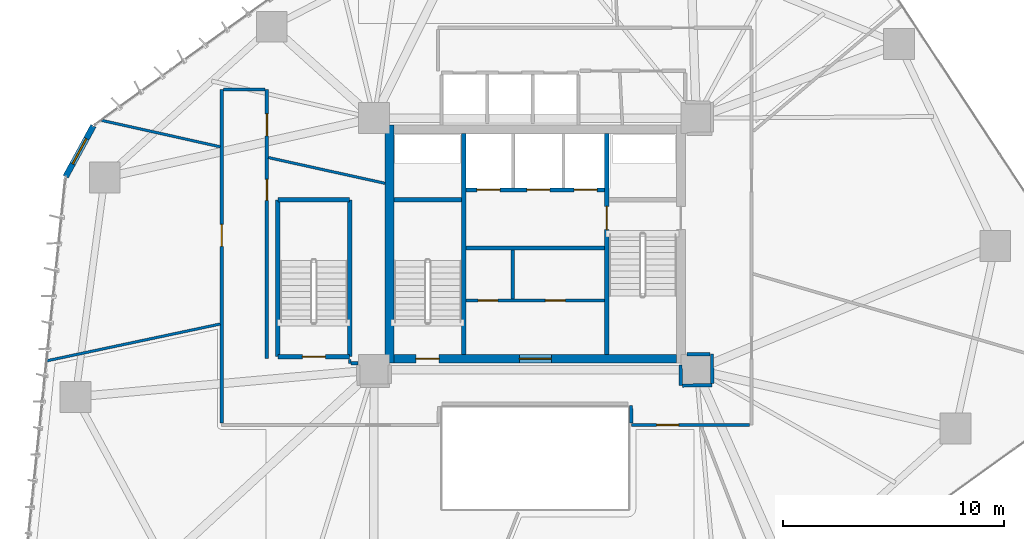
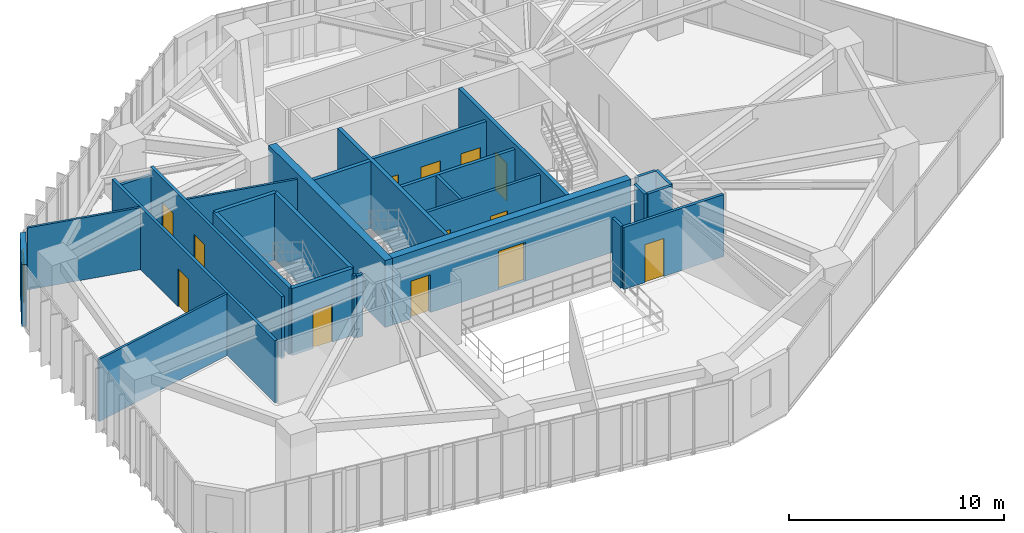
# One storey, part 18 of 22: 28 walls, 13 doors, 1 window, 14 openings.
"""IFC4 building model written with IfcOpenShell, lengths in metres."""

from ifc_helpers import new_model, si_unit, direction, frame, frame_2d, origin, place, context, subcontext, project, spatial, rectangle, extrude, source, transform, mapped, material, layer, layer_set, type_object, type_shapes, element, fill, save


model = new_model("IFC4")

# Units and contexts
model_context = context("Model", 3, precision=1e-05, world=origin(), true_north=direction((0.0, 1.0)))
body_context = subcontext(model_context, "Body", "Model", "MODEL_VIEW")
ifc_project = project(units=[si_unit("LENGTHUNIT", "METRE"), si_unit("AREAUNIT", "SQUARE_METRE"), si_unit("VOLUMEUNIT", "CUBIC_METRE"), si_unit("PLANEANGLEUNIT", "RADIAN"), si_unit("MASSUNIT", "GRAM", prefix="KILO")], contexts=[model_context])

# Site, building, storey
site_placement = place(None, origin())
site = spatial("IfcSite", under=ifc_project, at=site_placement, CompositionType="ELEMENT")
building_placement = place(site_placement, origin())
building = spatial("IfcBuilding", under=site, at=building_placement, Name="Talar Marvaseh", CompositionType="ELEMENT")
storey_placement = place(building_placement, frame((0.0, 0.0, 65.800048828125)))
storey = spatial("IfcBuildingStorey", under=building, at=storey_placement, Name="L16", CompositionType="ELEMENT", Elevation=65.800048828125)

# Wall, opening, window
ifc_material_1 = material(Name="Precast concrete C45/55", Category="concrete")
ifc_layer_1 = layer(ifc_material_1, 0.27001953125)
ifc_layer_set_1 = layer_set([ifc_layer_1], Name="Precast concrete C45/55")
wall_type_1 = type_object("IfcWallType", Name="Chamfered Hexagonal Corner Pier Wall Z1 270", PredefinedType="SOLIDWALL", material=ifc_layer_set_1)
wall_1_placement = place(storey_placement, frame((4.731689453125, 34.250732421875, 0.0), z_axis=(0.0, 0.0, 1.0), x_axis=(0.479015137629, 0.877806640395, 0.0)))
wall_1 = element("IfcWall", 1, at=wall_1_placement, inside=storey, type_object=wall_type_1, Name="L16 Chamfered Corner Limestone Pier 2", PredefinedType="SOLIDWALL", context=body_context, shape_type="SweptSolid", body=[
    extrude(rectangle(XDim=2.623291015625, YDim=0.27001953125, at=frame_2d((1.3115234375, 0.0))), origin(), (0.0, 0.0, 1.0), 3.52001953125),
])
opening_1_placement = place(wall_1_placement, frame((0.662109375, 0.0, 0.89990234375)))
opening_1 = element("IfcOpeningElement", 2, at=opening_1_placement, cuts=wall_1, Name="Opening WN-CHM13", PredefinedType="OPENING", context=body_context, shape_type="SweptSolid", body=[
    extrude(rectangle(XDim=1.300048828125, YDim=2.14990234375, at=frame_2d((0.64990234375, 1.074951171875))), frame((0.0, 0.14501953125, 0.0), z_axis=(0.0, -1.0, 0.0), x_axis=(1.0, 0.0, 0.0)), (0.0, 0.0, 1.0), 0.2900390625),
])
ifc_material_2 = material(Name="Laminated Low-E Solar Glass", Category="glass")
window_type = type_object("IfcWindowType", Name="Zone 1 Chamfered Corner Slot Window 1300x2150", PartitioningType="SINGLE_PANEL", PredefinedType="WINDOW", material=ifc_material_2)
shared_shape_1 = source(origin(), body_context, "Body", "SweptSolid", [
    extrude(rectangle(XDim=1.300048828125, YDim=2.14990234375, at=frame_2d((0.64990234375, 1.074951171875))), frame((0.0, 0.030029296875, 0.0), z_axis=(0.0, -1.0, 0.0), x_axis=(1.0, 0.0, 0.0)), (0.0, 0.0, 1.0), 0.06005859375),
])
type_shapes(window_type, [shared_shape_1])
window_placement = place(opening_1_placement, origin())
window = element("IfcWindow", 3, at=window_placement, inside=storey, type_object=window_type, Name="L16 Chamfered Corner Slot Window", OverallHeight=2.14990234375, OverallWidth=1.300048828125, PartitioningType="SINGLE_PANEL", PredefinedType="WINDOW", context=body_context, shape_type="MappedRepresentation", body=[
    mapped(shared_shape_1, transform((0.0, 0.0, 0.0), x_axis=(1.0, 0.0, 0.0), y_axis=(0.0, 1.0, 0.0), z_axis=(0.0, 0.0, 1.0), scale=1.0)),
])
fill(opening_1, window)

# Wall, openings, doors
ifc_material_3 = material(Name="Gypsum Board Partition Assembly")
ifc_layer_2 = layer(ifc_material_3, 0.155029296875)
ifc_layer_set_2 = layer_set([ifc_layer_2], Name="Gypsum Board Partition Assembly")
wall_type_2 = type_object("IfcWallType", Name="Corridor Fire-Rated Acoustic Partition 155", PredefinedType="PARTITIONING", material=ifc_layer_set_2)
wall_2_placement = place(storey_placement, frame((22.865966796875, 28.639892578125, 0.0), z_axis=(0.0, 0.0, 1.0), x_axis=(1.0, 0.0, 0.0)))
wall_2 = element("IfcWall", 4, at=wall_2_placement, inside=storey, type_object=wall_type_2, Name="L16 Core BOH Partition", PredefinedType="PARTITIONING", context=body_context, shape_type="SweptSolid", body=[
    extrude(rectangle(XDim=6.26806640625, YDim=0.155029296875, at=frame_2d((3.134033203125, 0.0))), origin(), (0.0, 0.0, 1.0), 3.52001953125),
])
opening_2_placement = place(wall_2_placement, frame((0.550048828125, 0.0, 0.0)))
opening_2 = element("IfcOpeningElement", 5, at=opening_2_placement, cuts=wall_2, Name="Opening DR-BOH090", PredefinedType="OPENING", context=body_context, shape_type="SweptSolid", body=[
    extrude(rectangle(XDim=0.89990234375, YDim=2.10009765625, at=frame_2d((0.449951171875, 1.050048828125))), frame((0.0, 0.08740234375, 0.0), z_axis=(0.0, -1.0, 0.0), x_axis=(1.0, 0.0, 0.0)), (0.0, 0.0, 1.0), 0.175048828125),
])
opening_3_placement = place(wall_2_placement, frame((3.60009765625, 0.0, 0.0)))
opening_3 = element("IfcOpeningElement", 6, at=opening_3_placement, cuts=wall_2, Name="Opening DR-BOH090", PredefinedType="OPENING", context=body_context, shape_type="SweptSolid", body=[
    extrude(rectangle(XDim=0.89990234375, YDim=2.10009765625, at=frame_2d((0.449951171875, 1.050048828125))), frame((0.0, 0.08740234375, 0.0), z_axis=(0.0, -1.0, 0.0), x_axis=(1.0, 0.0, 0.0)), (0.0, 0.0, 1.0), 0.175048828125),
])
ifc_material_4 = material(Name="Fire-Rated Steel Door Leaf", Category="steel")
door_type_1 = type_object("IfcDoorType", Name="Core Back-of-House Service Door 900x2100", OperationType="NOTDEFINED", PredefinedType="DOOR", material=ifc_material_4)
shared_shape_2 = source(origin(), body_context, "Body", "SweptSolid", [
    extrude(rectangle(XDim=0.89990234375, YDim=2.10009765625, at=frame_2d((0.449951171875, 1.050048828125))), frame((0.0, 0.02490234375, 0.0), z_axis=(0.0, -1.0, 0.0), x_axis=(1.0, 0.0, 0.0)), (0.0, 0.0, 1.0), 0.050048828125),
])
type_shapes(door_type_1, [shared_shape_2])
door_1_placement = place(opening_2_placement, origin())
door_1 = element("IfcDoor", 7, at=door_1_placement, inside=storey, type_object=door_type_1, Name="L16 Cleaner Janitor Store Door", OperationType="SINGLE_SWING_LEFT", OverallHeight=2.10009765625, OverallWidth=0.89990234375, PredefinedType="DOOR", context=body_context, shape_type="MappedRepresentation", body=[
    mapped(shared_shape_2, transform((0.0, 0.0, 0.0), x_axis=(1.0, 0.0, 0.0), y_axis=(0.0, 1.0, 0.0), z_axis=(0.0, 0.0, 1.0), scale=1.0)),
])
fill(opening_2, door_1)
door_2_placement = place(opening_3_placement, origin())
door_2 = element("IfcDoor", 8, at=door_2_placement, inside=storey, type_object=door_type_1, Name="L16 Plant Core Electrical Meter Room Door", OperationType="SINGLE_SWING_RIGHT", OverallHeight=2.10009765625, OverallWidth=0.89990234375, PredefinedType="DOOR", context=body_context, shape_type="MappedRepresentation", body=[
    mapped(shared_shape_2, transform((0.0, 0.0, 0.0), x_axis=(1.0, 0.0, 0.0), y_axis=(0.0, 1.0, 0.0), z_axis=(0.0, 0.0, 1.0), scale=1.0)),
])
fill(opening_3, door_2)

# Wall
wall_3_placement = place(storey_placement, frame((24.97998046875, 28.719970703125, 0.0), z_axis=(0.0, 0.0, 1.0), x_axis=(0.0, 1.0, 0.0)))
element("IfcWall", 9, at=wall_3_placement, inside=storey, type_object=wall_type_2, Name="L16 Core BOH Partition", PredefinedType="PARTITIONING", context=body_context, shape_type="SweptSolid", body=[
    extrude(rectangle(XDim=2.219970703125, YDim=0.155029296875, at=frame_2d((1.10986328125, 0.0))), origin(), (0.0, 0.0, 1.0), 3.52001953125),
])

# Wall, opening, door
wall_4_placement = place(storey_placement, frame((11.800048828125, 23.08349609375, 0.0), z_axis=(0.0, 0.0, 1.0), x_axis=(0.0, 1.0, 0.0)))
wall_4 = element("IfcWall", 10, at=wall_4_placement, inside=storey, type_object=wall_type_2, Name="L16 Interior Partition Wall", PredefinedType="PARTITIONING", context=body_context, shape_type="SweptSolid", body=[
    extrude(rectangle(XDim=15.116455078125, YDim=0.155029296875, at=frame_2d((7.55810546875, 0.0))), origin(), (0.0, 0.0, 1.0), 3.52001953125),
])
opening_4_placement = place(wall_4_placement, frame((8.006103515625, 0.0, 0.0)))
opening_4 = element("IfcOpeningElement", 11, at=opening_4_placement, cuts=wall_4, Name="Opening DR-RM100", PredefinedType="OPENING", context=body_context, shape_type="SweptSolid", body=[
    extrude(rectangle(XDim=1.0, YDim=2.14990234375, at=frame_2d((0.5, 1.074951171875))), frame((0.0, 0.08740234375, 0.0), z_axis=(0.0, -1.0, 0.0), x_axis=(1.0, 0.0, 0.0)), (0.0, 0.0, 1.0), 0.175048828125),
])
ifc_material_5 = material(Name="Acoustic Engineered Oak Timber", Category="wood")
door_type_2 = type_object("IfcDoorType", Name="Corridor Fire-Rated Gallery Door 1000x2150", OperationType="NOTDEFINED", PredefinedType="DOOR", material=ifc_material_5)
shared_shape_3 = source(origin(), body_context, "Body", "SweptSolid", [
    extrude(rectangle(XDim=1.0, YDim=2.14990234375, at=frame_2d((0.5, 1.074951171875))), frame((0.0, 0.02490234375, 0.0), z_axis=(0.0, -1.0, 0.0), x_axis=(1.0, 0.0, 0.0)), (0.0, 0.0, 1.0), 0.050048828125),
])
type_shapes(door_type_2, [shared_shape_3])
door_3_placement = place(opening_4_placement, origin())
door_3 = element("IfcDoor", 12, at=door_3_placement, inside=storey, type_object=door_type_2, Name="L16 Quiet Research Study Door", OperationType="SINGLE_SWING_RIGHT", OverallHeight=2.14990234375, OverallWidth=1.0, PredefinedType="DOOR", context=body_context, shape_type="MappedRepresentation", body=[
    mapped(shared_shape_3, transform((0.0, 0.0, 0.0), x_axis=(1.0, 0.0, 0.0), y_axis=(0.0, 1.0, 0.0), z_axis=(0.0, 0.0, 1.0), scale=1.0)),
])
fill(opening_4, door_3)

# Wall, openings, doors
wall_5_placement = place(storey_placement, frame((13.85009765625, 38.199951171875, 0.0), z_axis=(0.0, 0.0, 1.0), x_axis=(0.0, -1.0, 0.0)))
wall_5 = element("IfcWall", 13, at=wall_5_placement, inside=storey, type_object=wall_type_2, Name="L16 Interior Partition Wall", PredefinedType="PARTITIONING", context=body_context, shape_type="SweptSolid", body=[
    extrude(rectangle(XDim=12.179931640625, YDim=0.155029296875, at=frame_2d((6.08984375, 0.0))), origin(), (0.0, 0.0, 1.0), 3.52001953125),
])
opening_5_placement = place(wall_5_placement, frame((1.1044921875, 0.0, 0.0)))
opening_5 = element("IfcOpeningElement", 14, at=opening_5_placement, cuts=wall_5, Name="Opening DR-RM100", PredefinedType="OPENING", context=body_context, shape_type="SweptSolid", body=[
    extrude(rectangle(XDim=1.0, YDim=2.14990234375, at=frame_2d((0.5, 1.074951171875))), frame((0.0, 0.08740234375, 0.0), z_axis=(0.0, -1.0, 0.0), x_axis=(1.0, 0.0, 0.0)), (0.0, 0.0, 1.0), 0.175048828125),
])
opening_6_placement = place(wall_5_placement, frame((4.076416015625, 0.0, 0.0)))
opening_6 = element("IfcOpeningElement", 15, at=opening_6_placement, cuts=wall_5, Name="Opening DR-WC095", PredefinedType="OPENING", context=body_context, shape_type="SweptSolid", body=[
    extrude(rectangle(XDim=0.949951171875, YDim=2.14990234375, at=frame_2d((0.47509765625, 1.074951171875))), frame((0.0, 0.08740234375, 0.0), z_axis=(0.0, -1.0, 0.0), x_axis=(1.0, 0.0, 0.0)), (0.0, 0.0, 1.0), 0.175048828125),
])
door_type_3 = type_object("IfcDoorType", Name="Washroom and Service Room Door 950x2150", OperationType="NOTDEFINED", PredefinedType="DOOR", material=ifc_material_5)
shared_shape_4 = source(origin(), body_context, "Body", "SweptSolid", [
    extrude(rectangle(XDim=0.949951171875, YDim=2.14990234375, at=frame_2d((0.47509765625, 1.074951171875))), frame((0.0, 0.02490234375, 0.0), z_axis=(0.0, -1.0, 0.0), x_axis=(1.0, 0.0, 0.0)), (0.0, 0.0, 1.0), 0.050048828125),
])
type_shapes(door_type_3, [shared_shape_4])
door_4_placement = place(opening_6_placement, origin())
door_4 = element("IfcDoor", 16, at=door_4_placement, inside=storey, type_object=door_type_3, Name="L16 Accessible WC Door", OperationType="SINGLE_SWING_LEFT", OverallHeight=2.14990234375, OverallWidth=0.949951171875, PredefinedType="DOOR", context=body_context, shape_type="MappedRepresentation", body=[
    mapped(shared_shape_4, transform((0.0, 0.0, 0.0), x_axis=(1.0, 0.0, 0.0), y_axis=(0.0, 1.0, 0.0), z_axis=(0.0, 0.0, 1.0), scale=1.0)),
])
fill(opening_6, door_4)
door_5_placement = place(opening_5_placement, origin())
door_5 = element("IfcDoor", 17, at=door_5_placement, inside=storey, type_object=door_type_2, Name="L16 Digital Paleography Studio Door", OperationType="SINGLE_SWING_RIGHT", OverallHeight=2.14990234375, OverallWidth=1.0, PredefinedType="DOOR", context=body_context, shape_type="MappedRepresentation", body=[
    mapped(shared_shape_3, transform((0.0, 0.0, 0.0), x_axis=(1.0, 0.0, 0.0), y_axis=(0.0, 1.0, 0.0), z_axis=(0.0, 0.0, 1.0), scale=1.0)),
])
fill(opening_5, door_5)

# Wall, opening, door
wall_6_placement = place(storey_placement, frame((35.716552734375, 23.0, 0.0), z_axis=(0.0, 0.0, 1.0), x_axis=(-1.0, 0.0, 0.0)))
wall_6 = element("IfcWall", 18, at=wall_6_placement, inside=storey, type_object=wall_type_2, Name="L16 Interior Partition Wall", PredefinedType="PARTITIONING", context=body_context, shape_type="SweptSolid", body=[
    extrude(rectangle(XDim=5.3564453125, YDim=0.155029296875, at=frame_2d((2.67822265625, 0.0))), origin(), (0.0, 0.0, 1.0), 3.52001953125),
])
opening_7_placement = place(wall_6_placement, frame((3.21630859375, 0.0, 0.0)))
opening_7 = element("IfcOpeningElement", 19, at=opening_7_placement, cuts=wall_6, Name="Opening DR-RM100", PredefinedType="OPENING", context=body_context, shape_type="SweptSolid", body=[
    extrude(rectangle(XDim=1.0, YDim=2.14990234375, at=frame_2d((0.5, 1.074951171875))), frame((0.0, 0.08740234375, 0.0), z_axis=(0.0, -1.0, 0.0), x_axis=(1.0, 0.0, 0.0)), (0.0, 0.0, 1.0), 0.175048828125),
])
door_6_placement = place(opening_7_placement, origin())
door_6 = element("IfcDoor", 20, at=door_6_placement, inside=storey, type_object=door_type_2, Name="L16 Museum Publication Bookshop Door", OperationType="SINGLE_SWING_RIGHT", OverallHeight=2.14990234375, OverallWidth=1.0, PredefinedType="DOOR", context=body_context, shape_type="MappedRepresentation", body=[
    mapped(shared_shape_3, transform((0.0, 0.0, 0.0), x_axis=(1.0, 0.0, 0.0), y_axis=(0.0, 1.0, 0.0), z_axis=(0.0, 0.0, 1.0), scale=1.0)),
])
fill(opening_7, door_6)

# Walls
wall_7_placement = place(storey_placement, frame((11.883544921875, 38.199951171875, 0.0), z_axis=(0.0, 0.0, 1.0), x_axis=(1.0, 0.0, 0.0)))
element("IfcWall", 21, at=wall_7_placement, inside=storey, type_object=wall_type_2, Name="L16 Interior Partition Wall", PredefinedType="PARTITIONING", context=body_context, shape_type="SweptSolid", body=[
    extrude(rectangle(XDim=1.883056640625, YDim=0.155029296875, at=frame_2d((0.94140625, 0.0))), origin(), (0.0, 0.0, 1.0), 3.08203125),
])
wall_8_placement = place(storey_placement, frame((17.666015625, 25.800048828125, 0.0), z_axis=(0.0, 0.0, 1.0), x_axis=(1.0, 0.0, 0.0)))
element("IfcWall", 22, at=wall_8_placement, inside=storey, type_object=wall_type_2, Name="L16 Interior Partition Wall", PredefinedType="PARTITIONING", context=body_context, shape_type="SweptSolid", body=[
    extrude(rectangle(XDim=0.319091796875, YDim=0.155029296875, at=frame_2d((0.15966796875, 0.0))), origin(), (0.0, 0.0, 1.0), 3.52001953125),
])
wall_9_placement = place(storey_placement, frame((32.5849609375, 25.72998046875, 0.0), z_axis=(0.0, 0.0, 1.0), x_axis=(0.007253695172, -0.999973691607, 0.0)))
element("IfcWall", 23, at=wall_9_placement, inside=storey, type_object=wall_type_2, Name="L16 Interior Partition Wall", PredefinedType="PARTITIONING", context=body_context, shape_type="SweptSolid", body=[
    extrude(rectangle(XDim=0.9423828125, YDim=0.155029296875, at=frame_2d((0.47119140625, 0.0))), origin(), (0.0, 0.0, 1.0), 3.52001953125),
])
wall_10_placement = place(storey_placement, frame((32.67529296875, 24.788330078125, 0.0), z_axis=(0.0, 0.0, 1.0), x_axis=(0.999961738884, 0.008747614993, 0.0)))
element("IfcWall", 24, at=wall_10_placement, inside=storey, type_object=wall_type_2, Name="L16 Interior Partition Wall", PredefinedType="PARTITIONING", context=body_context, shape_type="SweptSolid", body=[
    extrude(rectangle(XDim=1.339599609375, YDim=0.155029296875, at=frame_2d((0.669921875, 0.0))), origin(), (0.0, 0.0, 1.0), 3.52001953125),
])
wall_11_placement = place(storey_placement, frame((34.014892578125, 24.883544921875, 0.0), z_axis=(0.0, 0.0, 1.0), x_axis=(-0.002393659134, 0.999997135194, 0.0)))
element("IfcWall", 25, at=wall_11_placement, inside=storey, type_object=wall_type_2, Name="L16 Interior Partition Wall", PredefinedType="PARTITIONING", context=body_context, shape_type="SweptSolid", body=[
    extrude(rectangle(XDim=1.325927734375, YDim=0.155029296875, at=frame_2d((0.6630859375, 0.0))), origin(), (0.0, 0.0, 1.0), 3.52001953125),
])
wall_12_placement = place(storey_placement, frame((33.927978515625, 26.2099609375, 0.0), z_axis=(0.0, 0.0, 1.0), x_axis=(-0.999988255797, 0.004846469737, 0.0)))
element("IfcWall", 26, at=wall_12_placement, inside=storey, type_object=wall_type_2, Name="L16 Interior Partition Wall", PredefinedType="PARTITIONING", context=body_context, shape_type="SweptSolid", body=[
    extrude(rectangle(XDim=1.057861328125, YDim=0.155029296875, at=frame_2d((0.52880859375, 0.0))), origin(), (0.0, 0.0, 1.0), 3.52001953125),
])
wall_13_placement = place(storey_placement, frame((30.358154296875, 23.08349609375, 0.0), z_axis=(0.0, 0.0, 1.0), x_axis=(-0.021573276475, 0.999767269789, 0.0)))
element("IfcWall", 27, at=wall_13_placement, inside=storey, type_object=wall_type_2, Name="L16 Interior Partition Wall", PredefinedType="PARTITIONING", context=body_context, shape_type="SweptSolid", body=[
    extrude(rectangle(XDim=0.792236328125, YDim=0.155029296875, at=frame_2d((0.39599609375, 0.0))), origin(), (0.0, 0.0, 1.0), 3.52001953125),
])
ifc_layer_3 = layer(ifc_material_3, 0.1201171875)
ifc_layer_set_3 = layer_set([ifc_layer_3], Name="Gypsum Board Partition Assembly")
wall_type_3 = type_object("IfcWallType", Name="Demountable Studio Room Partition 120", PredefinedType="PARTITIONING", material=ifc_layer_set_3)
wall_14_placement = place(storey_placement, frame((17.60009765625, 25.96240234375, 0.0), z_axis=(0.0, 0.0, 1.0), x_axis=(0.0, -1.0, 0.0)))
element("IfcWall", 28, at=wall_14_placement, inside=storey, type_object=wall_type_3, Name="L16 Interior Partition Wall", PredefinedType="PARTITIONING", context=body_context, shape_type="SweptSolid", body=[
    extrude(rectangle(XDim=0.1748046875, YDim=0.1201171875, at=frame_2d((0.08740234375, 0.0))), origin(), (0.0, 0.0, 1.0), 3.52001953125),
])
wall_15_placement = place(storey_placement, frame((3.888427734375, 25.91162109375, 0.0), z_axis=(0.0, 0.0, 1.0), x_axis=(0.978231878757, 0.207514797986, 0.0)))
element("IfcWall", 29, at=wall_15_placement, inside=storey, type_object=wall_type_3, Name="L16 Interior Partition Wall", PredefinedType="PARTITIONING", context=body_context, shape_type="SweptSolid", body=[
    extrude(rectangle(XDim=8.0224609375, YDim=0.1201171875, at=frame_2d((4.01123046875, 0.0))), origin(), (0.0, 0.0, 1.0), 3.52001953125),
])
wall_16_placement = place(storey_placement, frame((19.199951171875, 33.949951171875, 0.0), z_axis=(0.0, 0.0, 1.0), x_axis=(-0.976527540086, 0.215392579848, 0.0)))
element("IfcWall", 30, at=wall_16_placement, inside=storey, type_object=wall_type_3, Name="L16 Interior Partition Wall", PredefinedType="PARTITIONING", context=body_context, shape_type="SweptSolid", body=[
    extrude(rectangle(XDim=5.413330078125, YDim=0.1201171875, at=frame_2d((2.70654296875, 0.0))), origin(), (0.0, 0.0, 1.0), 3.52001953125),
])
wall_17_placement = place(storey_placement, frame((11.736572265625, 35.60400390625, 0.0), z_axis=(0.0, 0.0, 1.0), x_axis=(-0.976097371965, 0.217333661553, 0.0)))
element("IfcWall", 31, at=wall_17_placement, inside=storey, type_object=wall_type_3, Name="L16 Interior Partition Wall", PredefinedType="PARTITIONING", context=body_context, shape_type="SweptSolid", body=[
    extrude(rectangle(XDim=5.513427734375, YDim=0.1201171875, at=frame_2d((2.7568359375, 0.0))), origin(), (0.0, 0.0, 1.0), 3.52001953125),
])

# Wall, openings, doors
ifc_layer_4 = layer(ifc_material_1, 0.175048828125)
ifc_layer_set_4 = layer_set([ifc_layer_4], Name="Precast concrete C45/55")
wall_type_4 = type_object("IfcWallType", Name="Fire-Rated Lift Hoistway Enclosure Wall 175", PredefinedType="SOLIDWALL", material=ifc_layer_set_4)
wall_18_placement = place(storey_placement, frame((22.860107421875, 33.64990234375, 0.0), z_axis=(0.0, 0.0, 1.0), x_axis=(1.0, 0.0, 0.0)))
wall_18 = element("IfcWall", 32, at=wall_18_placement, inside=storey, type_object=wall_type_4, Name="L16 Firefighting and Service Lift Front Wall", PredefinedType="SOLIDWALL", context=body_context, shape_type="SweptSolid", body=[
    extrude(rectangle(XDim=6.27978515625, YDim=0.175048828125, at=frame_2d((3.139892578125, 0.0))), origin(), (0.0, 0.0, 1.0), 3.52001953125),
])
opening_8_placement = place(wall_18_placement, frame((0.5, 0.0, 0.0)))
opening_8 = element("IfcOpeningElement", 33, at=opening_8_placement, cuts=wall_18, Name="Opening LD-FF1", PredefinedType="OPENING", context=body_context, shape_type="SweptSolid", body=[
    extrude(rectangle(XDim=1.050048828125, YDim=2.14990234375, at=frame_2d((0.52490234375, 1.074951171875))), frame((0.0, 0.09765625, 0.0), z_axis=(0.0, -1.0, 0.0), x_axis=(1.0, 0.0, 0.0)), (0.0, 0.0, 1.0), 0.195068359375),
])
opening_9_placement = place(wall_18_placement, frame((2.760009765625, 0.0, 0.0)))
opening_9 = element("IfcOpeningElement", 34, at=opening_9_placement, cuts=wall_18, Name="Opening LD-FF2", PredefinedType="OPENING", context=body_context, shape_type="SweptSolid", body=[
    extrude(rectangle(XDim=1.050048828125, YDim=2.14990234375, at=frame_2d((0.52490234375, 1.074951171875))), frame((0.0, 0.09765625, 0.0), z_axis=(0.0, -1.0, 0.0), x_axis=(1.0, 0.0, 0.0)), (0.0, 0.0, 1.0), 0.195068359375),
])
opening_10_placement = place(wall_18_placement, frame((4.89990234375, 0.0, 0.0)))
opening_10 = element("IfcOpeningElement", 35, at=opening_10_placement, cuts=wall_18, Name="Opening LD-SV1", PredefinedType="OPENING", context=body_context, shape_type="SweptSolid", body=[
    extrude(rectangle(XDim=1.050048828125, YDim=2.14990234375, at=frame_2d((0.52490234375, 1.074951171875))), frame((0.0, 0.09765625, 0.0), z_axis=(0.0, -1.0, 0.0), x_axis=(1.0, 0.0, 0.0)), (0.0, 0.0, 1.0), 0.195068359375),
])
ifc_material_6 = material(Name="Stainless Steel Grade 316", Category="steel")
door_type_4 = type_object("IfcDoorType", Name="Automatic Sliding Lift Landing Door 1050x2150", OperationType="NOTDEFINED", PredefinedType="DOOR", material=ifc_material_6)
shared_shape_5 = source(origin(), body_context, "Body", "SweptSolid", [
    extrude(rectangle(XDim=1.050048828125, YDim=2.14990234375, at=frame_2d((0.52490234375, 1.074951171875))), frame((0.0, 0.02490234375, 0.0), z_axis=(0.0, -1.0, 0.0), x_axis=(1.0, 0.0, 0.0)), (0.0, 0.0, 1.0), 0.050048828125),
])
type_shapes(door_type_4, [shared_shape_5])
door_7_placement = place(opening_8_placement, origin())
door_7 = element("IfcDoor", 36, at=door_7_placement, inside=storey, type_object=door_type_4, Name="L16 Lift FFL-1 Sliding Landing Door", OperationType="SLIDING_TO_LEFT", OverallHeight=2.14990234375, OverallWidth=1.050048828125, PredefinedType="DOOR", context=body_context, shape_type="MappedRepresentation", body=[
    mapped(shared_shape_5, transform((0.0, 0.0, 0.0), x_axis=(1.0, 0.0, 0.0), y_axis=(0.0, 1.0, 0.0), z_axis=(0.0, 0.0, 1.0), scale=1.0)),
])
fill(opening_8, door_7)
door_8_placement = place(opening_9_placement, origin())
door_8 = element("IfcDoor", 37, at=door_8_placement, inside=storey, type_object=door_type_4, Name="L16 Lift FFL-2 Sliding Landing Door", OperationType="SLIDING_TO_LEFT", OverallHeight=2.14990234375, OverallWidth=1.050048828125, PredefinedType="DOOR", context=body_context, shape_type="MappedRepresentation", body=[
    mapped(shared_shape_5, transform((0.0, 0.0, 0.0), x_axis=(1.0, 0.0, 0.0), y_axis=(0.0, 1.0, 0.0), z_axis=(0.0, 0.0, 1.0), scale=1.0)),
])
fill(opening_9, door_8)
door_9_placement = place(opening_10_placement, origin())
door_9 = element("IfcDoor", 38, at=door_9_placement, inside=storey, type_object=door_type_4, Name="L16 Lift SVL-1 Sliding Landing Door", OperationType="SLIDING_TO_LEFT", OverallHeight=2.14990234375, OverallWidth=1.050048828125, PredefinedType="DOOR", context=body_context, shape_type="MappedRepresentation", body=[
    mapped(shared_shape_5, transform((0.0, 0.0, 0.0), x_axis=(1.0, 0.0, 0.0), y_axis=(0.0, 1.0, 0.0), z_axis=(0.0, 0.0, 1.0), scale=1.0)),
])
fill(opening_10, door_9)

# Walls
wall_19_placement = place(storey_placement, frame((22.860107421875, 31.02001953125, 0.0), z_axis=(0.0, 0.0, 1.0), x_axis=(1.0, 0.0, 0.0)))
element("IfcWall", 39, at=wall_19_placement, inside=storey, type_object=wall_type_4, Name="L16 Firefighting Lobby South Smoke Wall", PredefinedType="SOLIDWALL", context=body_context, shape_type="SweptSolid", body=[
    extrude(rectangle(XDim=6.27978515625, YDim=0.175048828125, at=frame_2d((3.139892578125, 0.0))), origin(), (0.0, 0.0, 1.0), 3.52001953125),
])
ifc_material_7 = material(Name="Concrete C70/85", Category="concrete")
ifc_layer_5 = layer(ifc_material_7, 0.39990234375)
ifc_layer_set_5 = layer_set([ifc_layer_5], Name="Concrete C70/85")
wall_type_5 = type_object("IfcWallType", Name="Lower Core Reinforced Concrete Shear Wall 400", PredefinedType="SHEAR", material=ifc_layer_set_5)
wall_20_placement = place(storey_placement, frame((19.39990234375, 25.800048828125, 0.0), z_axis=(0.0, 0.0, 1.0), x_axis=(0.0, 1.0, 0.0)))
element("IfcWall", 40, at=wall_20_placement, inside=storey, type_object=wall_type_5, Name="L16 West Core Shear Wall", PredefinedType="SHEAR", context=body_context, shape_type="SweptSolid", body=[
    extrude(rectangle(XDim=10.800048828125, YDim=0.39990234375, at=frame_2d((5.39990234375, 0.0))), origin(), (0.0, 0.0, 1.0), 3.800048828125),
])

# Wall, openings, doors
wall_21_placement = place(storey_placement, frame((32.39990234375, 26.0, 0.0), z_axis=(0.0, 0.0, 1.0), x_axis=(-1.0, 0.0, 0.0)))
wall_21 = element("IfcWall", 41, at=wall_21_placement, inside=storey, type_object=wall_type_5, Name="L16 South Core Shear Wall", PredefinedType="SHEAR", context=body_context, shape_type="SweptSolid", body=[
    extrude(rectangle(XDim=12.7998046875, YDim=0.39990234375, at=frame_2d((6.39990234375, 0.0))), origin(), (0.0, 0.0, 1.0), 3.800048828125),
])
opening_11_placement = place(wall_21_placement, frame((10.75, 0.0, 0.0)))
opening_11 = element("IfcOpeningElement", 42, at=opening_11_placement, cuts=wall_21, Name="Opening DR-ST105", PredefinedType="OPENING", context=body_context, shape_type="SweptSolid", body=[
    extrude(rectangle(XDim=1.050048828125, YDim=2.14990234375, at=frame_2d((0.52490234375, 1.074951171875))), frame((0.0, 0.2099609375, 0.0), z_axis=(0.0, -1.0, 0.0), x_axis=(1.0, 0.0, 0.0)), (0.0, 0.0, 1.0), 0.419921875),
])
opening_12_placement = place(wall_21_placement, frame((5.669921875, 0.0, 0.0)))
opening_12 = element("IfcOpeningElement", 43, at=opening_12_placement, cuts=wall_21, Name="Opening DR-LBY145", PredefinedType="OPENING", context=body_context, shape_type="SweptSolid", body=[
    extrude(rectangle(XDim=1.449951171875, YDim=2.199951171875, at=frame_2d((0.72509765625, 1.10009765625))), frame((0.0, 0.2099609375, 0.0), z_axis=(0.0, -1.0, 0.0), x_axis=(1.0, 0.0, 0.0)), (0.0, 0.0, 1.0), 0.419921875),
])
door_type_5 = type_object("IfcDoorType", Name="Protected Exit Stair Fire Door 1050x2150", OperationType="NOTDEFINED", PredefinedType="DOOR", material=ifc_material_4)
shared_shape_6 = source(origin(), body_context, "Body", "SweptSolid", [
    extrude(rectangle(XDim=1.050048828125, YDim=2.14990234375, at=frame_2d((0.52490234375, 1.074951171875))), frame((0.0, 0.02490234375, 0.0), z_axis=(0.0, -1.0, 0.0), x_axis=(1.0, 0.0, 0.0)), (0.0, 0.0, 1.0), 0.050048828125),
])
type_shapes(door_type_5, [shared_shape_6])
door_10_placement = place(opening_11_placement, origin())
door_10 = element("IfcDoor", 44, at=door_10_placement, inside=storey, type_object=door_type_5, Name="L16 Stair ST-1 Exit Door", OperationType="SINGLE_SWING_RIGHT", OverallHeight=2.14990234375, OverallWidth=1.050048828125, PredefinedType="DOOR", context=body_context, shape_type="MappedRepresentation", body=[
    mapped(shared_shape_6, transform((0.0, 0.0, 0.0), x_axis=(1.0, 0.0, 0.0), y_axis=(0.0, 1.0, 0.0), z_axis=(0.0, 0.0, 1.0), scale=1.0)),
])
fill(opening_11, door_10)
door_type_6 = type_object("IfcDoorType", Name="Core Lift Lobby Double Smoke Door 1450x2200", OperationType="NOTDEFINED", PredefinedType="DOOR", material=ifc_material_4)
shared_shape_7 = source(origin(), body_context, "Body", "SweptSolid", [
    extrude(rectangle(XDim=1.449951171875, YDim=2.199951171875, at=frame_2d((0.72509765625, 1.10009765625))), frame((0.0, 0.02490234375, 0.0), z_axis=(0.0, -1.0, 0.0), x_axis=(1.0, 0.0, 0.0)), (0.0, 0.0, 1.0), 0.050048828125),
])
type_shapes(door_type_6, [shared_shape_7])
door_11_placement = place(opening_12_placement, origin())
door_11 = element("IfcDoor", 45, at=door_11_placement, inside=storey, type_object=door_type_6, Name="L16 Passenger Lift Lobby Entrance Door", OperationType="DOUBLE_DOOR_SINGLE_SWING", OverallHeight=2.199951171875, OverallWidth=1.449951171875, PredefinedType="DOOR", context=body_context, shape_type="MappedRepresentation", body=[
    mapped(shared_shape_7, transform((0.0, 0.0, 0.0), x_axis=(1.0, 0.0, 0.0), y_axis=(0.0, 1.0, 0.0), z_axis=(0.0, 0.0, 1.0), scale=1.0)),
])
fill(opening_12, door_11)

# Wall
ifc_material_8 = material(Name="Concrete C50/60", Category="concrete")
ifc_layer_6 = layer(ifc_material_8, 0.199951171875)
ifc_layer_set_6 = layer_set([ifc_layer_6], Name="Concrete C50/60")
wall_type_6 = type_object("IfcWallType", Name="Stair Shaft Structural Concrete Shear Wall 200", PredefinedType="SHEAR", material=ifc_layer_set_6)
wall_22_placement = place(storey_placement, frame((22.760009765625, 26.199951171875, 0.0), z_axis=(0.0, 0.0, 1.0), x_axis=(0.0, 1.0, 0.0)))
element("IfcWall", 46, at=wall_22_placement, inside=storey, type_object=wall_type_6, Name="L16 Core West Stair Shear Wall", PredefinedType="SHEAR", context=body_context, shape_type="SweptSolid", body=[
    extrude(rectangle(XDim=10.0, YDim=0.199951171875, at=frame_2d((5.0, 0.0))), origin(), (0.0, 0.0, 1.0), 3.800048828125),
])

# Wall, opening, door
wall_23_placement = place(storey_placement, frame((29.239990234375, 26.199951171875, 0.0), z_axis=(0.0, 0.0, 1.0), x_axis=(0.0, 1.0, 0.0)))
wall_23 = element("IfcWall", 47, at=wall_23_placement, inside=storey, type_object=wall_type_6, Name="L16 Core East Stair Shear Wall", PredefinedType="SHEAR", context=body_context, shape_type="SweptSolid", body=[
    extrude(rectangle(XDim=10.0, YDim=0.199951171875, at=frame_2d((5.0, 0.0))), origin(), (0.0, 0.0, 1.0), 3.800048828125),
])
opening_13_placement = place(wall_23_placement, frame((5.64990234375, 0.0, 0.0)))
opening_13 = element("IfcOpeningElement", 48, at=opening_13_placement, cuts=wall_23, Name="Opening DR-ST105", PredefinedType="OPENING", context=body_context, shape_type="SweptSolid", body=[
    extrude(rectangle(XDim=1.050048828125, YDim=2.14990234375, at=frame_2d((0.52490234375, 1.074951171875))), frame((0.0, 0.10986328125, 0.0), z_axis=(0.0, -1.0, 0.0), x_axis=(1.0, 0.0, 0.0)), (0.0, 0.0, 1.0), 0.219970703125),
])
door_12_placement = place(opening_13_placement, origin())
door_12 = element("IfcDoor", 49, at=door_12_placement, inside=storey, type_object=door_type_5, Name="L16 Firefighting Lobby to Stair ST-2 Door", OperationType="SINGLE_SWING_LEFT", OverallHeight=2.14990234375, OverallWidth=1.050048828125, PredefinedType="DOOR", context=body_context, shape_type="MappedRepresentation", body=[
    mapped(shared_shape_6, transform((0.0, 0.0, 0.0), x_axis=(1.0, 0.0, 0.0), y_axis=(0.0, 1.0, 0.0), z_axis=(0.0, 0.0, 1.0), scale=1.0)),
])
fill(opening_13, door_12)

# Wall
wall_24_placement = place(storey_placement, frame((19.60009765625, 33.199951171875, 0.0), z_axis=(0.0, 0.0, 1.0), x_axis=(1.0, 0.0, 0.0)))
element("IfcWall", 50, at=wall_24_placement, inside=storey, type_object=wall_type_6, Name="L16 Stair ST-1 North Shear Wall", PredefinedType="SHEAR", context=body_context, shape_type="SweptSolid", body=[
    extrude(rectangle(XDim=3.059814453125, YDim=0.199951171875, at=frame_2d((1.52978515625, 0.0))), origin(), (0.0, 0.0, 1.0), 3.800048828125),
])

# Wall, opening, door
wall_25_placement = place(storey_placement, frame((17.60009765625, 26.10009765625, 0.0), z_axis=(0.0, 0.0, 1.0), x_axis=(-1.0, 0.0, 0.0)))
wall_25 = element("IfcWall", 51, at=wall_25_placement, inside=storey, type_object=wall_type_6, Name="L16 Stair ST-3 South Shear Wall", PredefinedType="SHEAR", context=body_context, shape_type="SweptSolid", body=[
    extrude(rectangle(XDim=3.260009765625, YDim=0.199951171875, at=frame_2d((1.6298828125, 0.0))), origin(), (0.0, 0.0, 1.0), 3.800048828125),
])
opening_14_placement = place(wall_25_placement, frame((1.10009765625, 0.0, 0.0)))
opening_14 = element("IfcOpeningElement", 52, at=opening_14_placement, cuts=wall_25, Name="Opening DR-ST105", PredefinedType="OPENING", context=body_context, shape_type="SweptSolid", body=[
    extrude(rectangle(XDim=1.050048828125, YDim=2.14990234375, at=frame_2d((0.52490234375, 1.074951171875))), frame((0.0, 0.10986328125, 0.0), z_axis=(0.0, -1.0, 0.0), x_axis=(1.0, 0.0, 0.0)), (0.0, 0.0, 1.0), 0.219970703125),
])
door_13_placement = place(opening_14_placement, origin())
door_13 = element("IfcDoor", 53, at=door_13_placement, inside=storey, type_object=door_type_5, Name="L16 Stair ST-3 Exit Door", OperationType="SINGLE_SWING_LEFT", OverallHeight=2.14990234375, OverallWidth=1.050048828125, PredefinedType="DOOR", context=body_context, shape_type="MappedRepresentation", body=[
    mapped(shared_shape_6, transform((0.0, 0.0, 0.0), x_axis=(1.0, 0.0, 0.0), y_axis=(0.0, 1.0, 0.0), z_axis=(0.0, 0.0, 1.0), scale=1.0)),
])
fill(opening_14, door_13)

# Walls
wall_26_placement = place(storey_placement, frame((14.340087890625, 33.199951171875, 0.0), z_axis=(0.0, 0.0, 1.0), x_axis=(1.0, 0.0, 0.0)))
element("IfcWall", 54, at=wall_26_placement, inside=storey, type_object=wall_type_6, Name="L16 Stair ST-3 North Shear Wall", PredefinedType="SHEAR", context=body_context, shape_type="SweptSolid", body=[
    extrude(rectangle(XDim=3.260009765625, YDim=0.199951171875, at=frame_2d((1.6298828125, 0.0))), origin(), (0.0, 0.0, 1.0), 3.800048828125),
])
for number, where, z_axis, x_axis, name in (
    (55, (14.340087890625, 26.10009765625, 0.0), (0.0, 0.0, 1.0), (0.0, 1.0, 0.0), "L16 Stair ST-3 West Shear Wall"),
    (56, (17.60009765625, 26.10009765625, 0.0), (0.0, 0.0, 1.0), (0.0, 1.0, 0.0), "L16 Stair ST-3 East Shear Wall"),
):
    element("IfcWall", number, at=place(storey_placement, frame(where, z_axis=z_axis, x_axis=x_axis)), inside=storey, type_object=wall_type_6, Name=name, PredefinedType="SHEAR", context=body_context, shape_type="SweptSolid", body=[
        extrude(rectangle(XDim=7.099853515625, YDim=0.199951171875, at=frame_2d((3.5498046875, 0.0))), origin(), (0.0, 0.0, 1.0), 3.800048828125),
    ])

save(model, "model.ifc")
